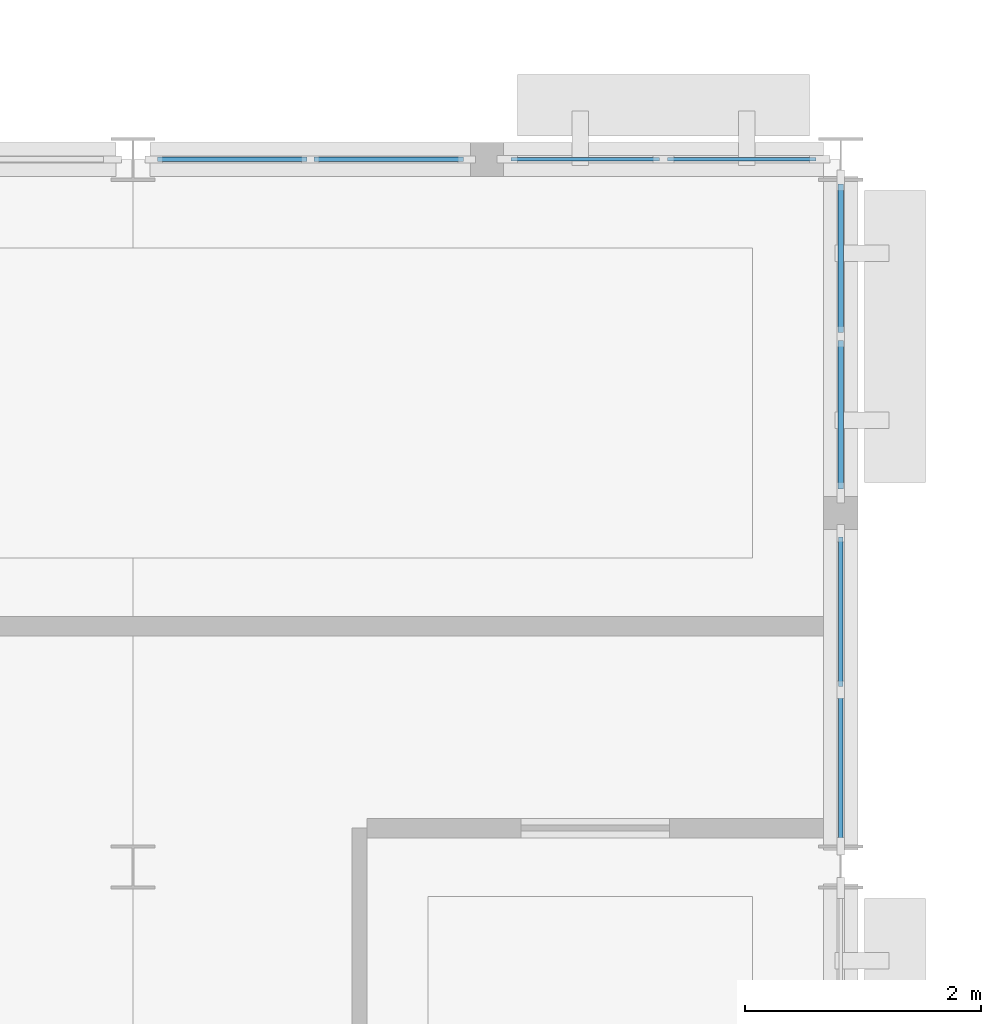
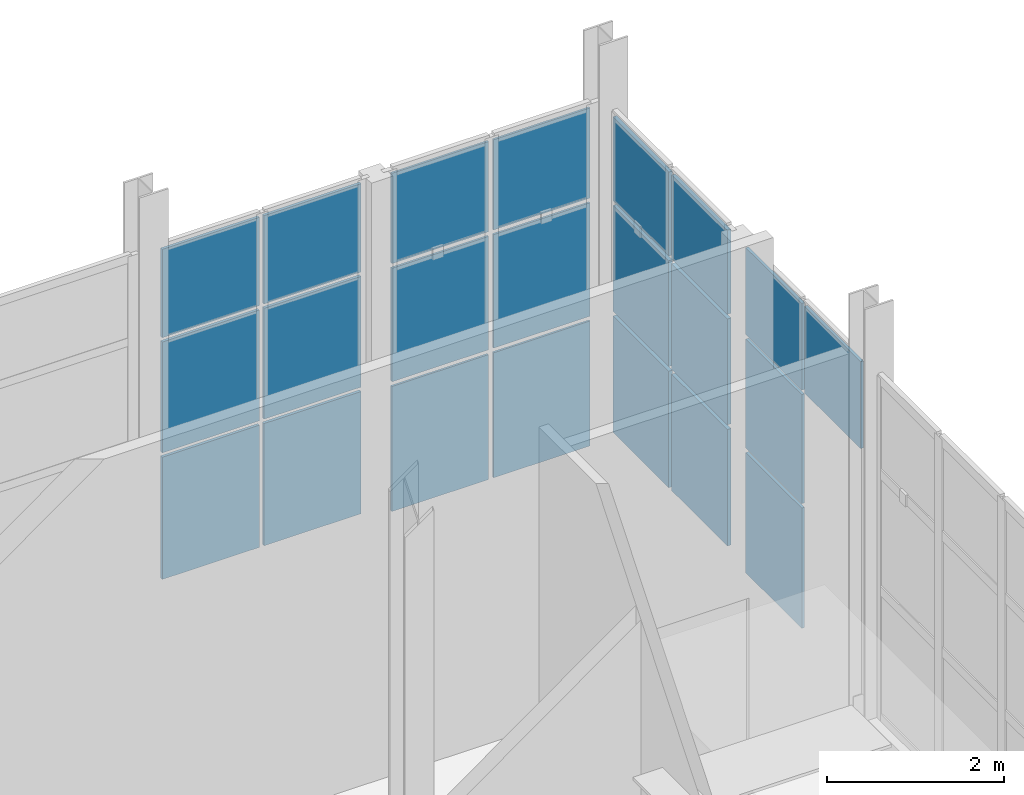
# One storey, part 77 of 120: 22 plates, 4 elements without a shape of their own.
"""IFC4 building model written with IfcOpenShell, lengths in metres."""

from ifc_helpers import new_model, si_unit, direction, frame, origin, origin_2d, place, context, subcontext, project, spatial, rectangle, extrude, material, layer, layer_set, type_object, element, aggregate, save


model = new_model("IFC4")

# Units and contexts
model_context = context("Model", 3, precision=1e-05, world=origin(), true_north=direction((0.0, 1.0)))
body_context = subcontext(model_context, "Body", "Model", "MODEL_VIEW")
ifc_project = project(units=[si_unit("LENGTHUNIT", "METRE"), si_unit("AREAUNIT", "SQUARE_METRE"), si_unit("VOLUMEUNIT", "CUBIC_METRE"), si_unit("PLANEANGLEUNIT", "RADIAN"), si_unit("MASSUNIT", "GRAM", prefix="KILO")], contexts=[model_context])

# Site, building, storey
site_placement = place(None, origin())
site = spatial("IfcSite", under=ifc_project, at=site_placement, CompositionType="ELEMENT")
building_placement = place(site_placement, origin())
building = spatial("IfcBuilding", under=site, at=building_placement, Name="Siltcreek Boulevard Central Fire Station", CompositionType="ELEMENT")
storey_placement = place(building_placement, origin())
storey = spatial("IfcBuildingStorey", under=building, at=storey_placement, Name="L01", CompositionType="ELEMENT", Elevation=0.0)

# Curtain wall, plates
ifc_material_1 = material(Name="Anodized aluminum and low-E insulated glazing", Category="aluminium")
curtain_wall_type_1 = type_object("IfcCurtainWallType", Name="CW_SYS_25", PredefinedType="USERDEFINED", material=ifc_material_1)
curtain_wall_1_placement = place(storey_placement, origin())
curtain_wall_1 = element("IfcCurtainWall", 1, at=curtain_wall_1_placement, inside=storey, type_object=curtain_wall_type_1, Name="L01 V5 unitised curtain wall CW-114", ObjectType="CURTAIN WALL", PredefinedType="USERDEFINED")
ifc_material_2 = material(Name="Low-E double insulated glass unit", Category="glass")
ifc_layer_1 = layer(ifc_material_2, 0.028076171875, Name="Low-E double insulated glass unit")
ifc_layer_set_1 = layer_set([ifc_layer_1], Name="Low-E double insulated glass unit")
plate_type_1 = type_object("IfcPlateType", Name="CWP_GLZ_1", PredefinedType="CURTAIN_PANEL", material=ifc_layer_set_1)
plate_1_placement = place(storey_placement, frame((165.360107421875, 112.199951171875, 0.384765625), z_axis=(0.0, 0.0, 1.0), x_axis=(-1.0, 0.0, 0.0)))
plate_1 = element("IfcPlate", 2, at=plate_1_placement, type_object=plate_type_1, Name="CW-114 panel 1.1", PredefinedType="CURTAIN_PANEL", context=body_context, shape_type="SweptSolid", body=[
    extrude(rectangle(XDim=1.260009765625, YDim=0.028076171875, at=origin_2d()), origin(), (0.0, 0.0, 1.0), 1.723876953125),
])
plate_2_placement = place(storey_placement, frame((165.360107421875, 112.199951171875, 2.173828125), z_axis=(0.0, 0.0, 1.0), x_axis=(-1.0, 0.0, 0.0)))
plate_2 = element("IfcPlate", 3, at=plate_2_placement, type_object=plate_type_1, Name="CW-114 panel 1.2", PredefinedType="CURTAIN_PANEL", context=body_context, shape_type="SweptSolid", body=[
    extrude(rectangle(XDim=1.260009765625, YDim=0.028076171875, at=origin_2d()), origin(), (0.0, 0.0, 1.0), 1.564697265625),
])
plate_3_placement = place(storey_placement, frame((165.360107421875, 112.199951171875, 3.8037109375), z_axis=(0.0, 0.0, 1.0), x_axis=(-1.0, 0.0, 0.0)))
plate_3 = element("IfcPlate", 4, at=plate_3_placement, type_object=plate_type_1, Name="CW-114 panel 1.3", PredefinedType="CURTAIN_PANEL", context=body_context, shape_type="SweptSolid", body=[
    extrude(rectangle(XDim=1.260009765625, YDim=0.028076171875, at=origin_2d()), origin(), (0.0, 0.0, 1.0), 1.244384765625),
])
plate_4_placement = place(storey_placement, frame((164.034912109375, 112.199951171875, 0.384765625), z_axis=(0.0, 0.0, 1.0), x_axis=(-1.0, 0.0, 0.0)))
plate_4 = element("IfcPlate", 5, at=plate_4_placement, type_object=plate_type_1, Name="CW-114 panel 2.1", PredefinedType="CURTAIN_PANEL", context=body_context, shape_type="SweptSolid", body=[
    extrude(rectangle(XDim=1.260009765625, YDim=0.028076171875, at=origin_2d()), origin(), (0.0, 0.0, 1.0), 1.723876953125),
])
plate_5_placement = place(storey_placement, frame((164.034912109375, 112.199951171875, 2.173828125), z_axis=(0.0, 0.0, 1.0), x_axis=(-1.0, 0.0, 0.0)))
plate_5 = element("IfcPlate", 6, at=plate_5_placement, type_object=plate_type_1, Name="CW-114 panel 2.2", PredefinedType="CURTAIN_PANEL", context=body_context, shape_type="SweptSolid", body=[
    extrude(rectangle(XDim=1.260009765625, YDim=0.028076171875, at=origin_2d()), origin(), (0.0, 0.0, 1.0), 1.564697265625),
])
plate_6_placement = place(storey_placement, frame((164.034912109375, 112.199951171875, 3.8037109375), z_axis=(0.0, 0.0, 1.0), x_axis=(-1.0, 0.0, 0.0)))
plate_6 = element("IfcPlate", 7, at=plate_6_placement, type_object=plate_type_1, Name="CW-114 panel 2.3", PredefinedType="CURTAIN_PANEL", context=body_context, shape_type="SweptSolid", body=[
    extrude(rectangle(XDim=1.260009765625, YDim=0.028076171875, at=origin_2d()), origin(), (0.0, 0.0, 1.0), 1.244384765625),
])
aggregate(curtain_wall_1, [plate_1, plate_2, plate_3, plate_4, plate_5, plate_6])

curtain_wall_type_2 = type_object("IfcCurtainWallType", Name="CW_SYS_26", PredefinedType="USERDEFINED", material=ifc_material_1)
curtain_wall_2_placement = place(storey_placement, origin())
curtain_wall_2 = element("IfcCurtainWall", 8, at=curtain_wall_2_placement, inside=storey, type_object=curtain_wall_type_2, Name="L01 V5 unitised curtain wall CW-115", ObjectType="CURTAIN WALL", PredefinedType="USERDEFINED")
ifc_layer_2 = layer(ifc_material_2, 0.0380859375, Name="Low-E double insulated glass unit")
ifc_layer_set_2 = layer_set([ifc_layer_2], Name="Low-E double insulated glass unit")
plate_type_2 = type_object("IfcPlateType", Name="CWP_GLZ_2", PredefinedType="CURTAIN_PANEL", material=ifc_layer_set_2)
plate_7_placement = place(storey_placement, frame((162.3662109375, 112.199951171875, 0.5), z_axis=(0.0, 0.0, 1.0), x_axis=(-1.0, 0.0, 0.0)))
plate_7 = element("IfcPlate", 9, at=plate_7_placement, type_object=plate_type_2, Name="CW-115 panel 1.1", PredefinedType="CURTAIN_PANEL", context=body_context, shape_type="SweptSolid", body=[
    extrude(rectangle(XDim=1.267578125, YDim=0.0380859375, at=origin_2d()), origin(), (0.0, 0.0, 1.0), 1.685791015625),
])
plate_8_placement = place(storey_placement, frame((162.3662109375, 112.199951171875, 2.245849609375), z_axis=(0.0, 0.0, 1.0), x_axis=(-1.0, 0.0, 0.0)))
plate_8 = element("IfcPlate", 10, at=plate_8_placement, type_object=plate_type_2, Name="CW-115 panel 1.2", PredefinedType="CURTAIN_PANEL", context=body_context, shape_type="SweptSolid", body=[
    extrude(rectangle(XDim=1.267578125, YDim=0.0380859375, at=origin_2d()), origin(), (0.0, 0.0, 1.0), 1.52880859375),
])
plate_9_placement = place(storey_placement, frame((162.3662109375, 112.199951171875, 3.83447265625), z_axis=(0.0, 0.0, 1.0), x_axis=(-1.0, 0.0, 0.0)))
plate_9 = element("IfcPlate", 11, at=plate_9_placement, type_object=plate_type_2, Name="CW-115 panel 1.3", PredefinedType="CURTAIN_PANEL", context=body_context, shape_type="SweptSolid", body=[
    extrude(rectangle(XDim=1.267578125, YDim=0.0380859375, at=origin_2d()), origin(), (0.0, 0.0, 1.0), 1.218505859375),
])
plate_10_placement = place(storey_placement, frame((161.038818359375, 112.199951171875, 0.5), z_axis=(0.0, 0.0, 1.0), x_axis=(-1.0, 0.0, 0.0)))
plate_10 = element("IfcPlate", 12, at=plate_10_placement, type_object=plate_type_2, Name="CW-115 panel 2.1", PredefinedType="CURTAIN_PANEL", context=body_context, shape_type="SweptSolid", body=[
    extrude(rectangle(XDim=1.267578125, YDim=0.0380859375, at=origin_2d()), origin(), (0.0, 0.0, 1.0), 1.685791015625),
])
plate_11_placement = place(storey_placement, frame((161.038818359375, 112.199951171875, 2.245849609375), z_axis=(0.0, 0.0, 1.0), x_axis=(-1.0, 0.0, 0.0)))
plate_11 = element("IfcPlate", 13, at=plate_11_placement, type_object=plate_type_2, Name="CW-115 panel 2.2", PredefinedType="CURTAIN_PANEL", context=body_context, shape_type="SweptSolid", body=[
    extrude(rectangle(XDim=1.267578125, YDim=0.0380859375, at=origin_2d()), origin(), (0.0, 0.0, 1.0), 1.52880859375),
])
plate_12_placement = place(storey_placement, frame((161.038818359375, 112.199951171875, 3.83447265625), z_axis=(0.0, 0.0, 1.0), x_axis=(-1.0, 0.0, 0.0)))
plate_12 = element("IfcPlate", 14, at=plate_12_placement, type_object=plate_type_2, Name="CW-115 panel 2.3", PredefinedType="CURTAIN_PANEL", context=body_context, shape_type="SweptSolid", body=[
    extrude(rectangle(XDim=1.267578125, YDim=0.0380859375, at=origin_2d()), origin(), (0.0, 0.0, 1.0), 1.218505859375),
])
aggregate(curtain_wall_2, [plate_7, plate_8, plate_9, plate_10, plate_11, plate_12])

curtain_wall_type_3 = type_object("IfcCurtainWallType", Name="CW_SYS_02", PredefinedType="USERDEFINED", material=ifc_material_1)
curtain_wall_3_placement = place(storey_placement, origin())
curtain_wall_3 = element("IfcCurtainWall", 15, at=curtain_wall_3_placement, inside=storey, type_object=curtain_wall_type_3, Name="L01 V5 unitised curtain wall CW-121", ObjectType="CURTAIN WALL", PredefinedType="USERDEFINED")
plate_13_placement = place(storey_placement, frame((166.199951171875, 107.038818359375, 3.784912109375), z_axis=(0.0, 0.0, 1.0), x_axis=(0.0, 1.0, 0.0)))
plate_13 = element("IfcPlate", 16, at=plate_13_placement, type_object=plate_type_2, Name="CW-121 panel 1.3", PredefinedType="CURTAIN_PANEL", context=body_context, shape_type="SweptSolid", body=[
    extrude(rectangle(XDim=1.267578125, YDim=0.0380859375, at=origin_2d()), origin(), (0.0, 0.0, 1.0), 1.19921875),
])
plate_14_placement = place(storey_placement, frame((166.199951171875, 108.3662109375, 0.5), z_axis=(0.0, 0.0, 1.0), x_axis=(0.0, 1.0, 0.0)))
plate_14 = element("IfcPlate", 17, at=plate_14_placement, type_object=plate_type_2, Name="CW-121 panel 2.1", PredefinedType="CURTAIN_PANEL", context=body_context, shape_type="SweptSolid", body=[
    extrude(rectangle(XDim=1.267578125, YDim=0.0380859375, at=origin_2d()), origin(), (0.0, 0.0, 1.0), 1.659423828125),
])
plate_15_placement = place(storey_placement, frame((166.199951171875, 108.3662109375, 2.219482421875), z_axis=(0.0, 0.0, 1.0), x_axis=(0.0, 1.0, 0.0)))
plate_15 = element("IfcPlate", 18, at=plate_15_placement, type_object=plate_type_2, Name="CW-121 panel 2.2", PredefinedType="CURTAIN_PANEL", context=body_context, shape_type="SweptSolid", body=[
    extrude(rectangle(XDim=1.267578125, YDim=0.0380859375, at=origin_2d()), origin(), (0.0, 0.0, 1.0), 1.50537109375),
])
plate_16_placement = place(storey_placement, frame((166.199951171875, 108.3662109375, 3.784912109375), z_axis=(0.0, 0.0, 1.0), x_axis=(0.0, 1.0, 0.0)))
plate_16 = element("IfcPlate", 19, at=plate_16_placement, type_object=plate_type_2, Name="CW-121 panel 2.3", PredefinedType="CURTAIN_PANEL", context=body_context, shape_type="SweptSolid", body=[
    extrude(rectangle(XDim=1.267578125, YDim=0.0380859375, at=origin_2d()), origin(), (0.0, 0.0, 1.0), 1.19921875),
])
aggregate(curtain_wall_3, [plate_13, plate_14, plate_15, plate_16])

curtain_wall_type_4 = type_object("IfcCurtainWallType", Name="CW_SYS_03", PredefinedType="USERDEFINED", material=ifc_material_1)
curtain_wall_4_placement = place(storey_placement, origin())
curtain_wall_4 = element("IfcCurtainWall", 20, at=curtain_wall_4_placement, inside=storey, type_object=curtain_wall_type_4, Name="L01 V5 unitised curtain wall CW-122", ObjectType="CURTAIN WALL", PredefinedType="USERDEFINED")
ifc_layer_3 = layer(ifc_material_2, 0.048095703125, Name="Low-E double insulated glass unit")
ifc_layer_set_3 = layer_set([ifc_layer_3], Name="Low-E double insulated glass unit")
plate_type_3 = type_object("IfcPlateType", Name="CWP_GLZ_3", PredefinedType="CURTAIN_PANEL", material=ifc_layer_set_3)
plate_17_placement = place(storey_placement, frame((166.199951171875, 110.034912109375, 0.625), z_axis=(0.0, 0.0, 1.0), x_axis=(0.0, 1.0, 0.0)))
plate_17 = element("IfcPlate", 21, at=plate_17_placement, type_object=plate_type_3, Name="CW-122 panel 1.1", PredefinedType="CURTAIN_PANEL", context=body_context, shape_type="SweptSolid", body=[
    extrude(rectangle(XDim=1.260009765625, YDim=0.048095703125, at=origin_2d()), origin(), (0.0, 0.0, 1.0), 1.6064453125),
])
plate_18_placement = place(storey_placement, frame((166.199951171875, 110.034912109375, 2.29638671875), z_axis=(0.0, 0.0, 1.0), x_axis=(0.0, 1.0, 0.0)))
plate_18 = element("IfcPlate", 22, at=plate_18_placement, type_object=plate_type_3, Name="CW-122 panel 1.2", PredefinedType="CURTAIN_PANEL", context=body_context, shape_type="SweptSolid", body=[
    extrude(rectangle(XDim=1.260009765625, YDim=0.048095703125, at=origin_2d()), origin(), (0.0, 0.0, 1.0), 1.459716796875),
])
plate_19_placement = place(storey_placement, frame((166.199951171875, 110.034912109375, 3.82080078125), z_axis=(0.0, 0.0, 1.0), x_axis=(0.0, 1.0, 0.0)))
plate_19 = element("IfcPlate", 23, at=plate_19_placement, type_object=plate_type_3, Name="CW-122 panel 1.3", PredefinedType="CURTAIN_PANEL", context=body_context, shape_type="SweptSolid", body=[
    extrude(rectangle(XDim=1.260009765625, YDim=0.048095703125, at=origin_2d()), origin(), (0.0, 0.0, 1.0), 1.157958984375),
])
plate_20_placement = place(storey_placement, frame((166.199951171875, 111.360107421875, 0.625), z_axis=(0.0, 0.0, 1.0), x_axis=(0.0, 1.0, 0.0)))
plate_20 = element("IfcPlate", 24, at=plate_20_placement, type_object=plate_type_3, Name="CW-122 panel 2.1", PredefinedType="CURTAIN_PANEL", context=body_context, shape_type="SweptSolid", body=[
    extrude(rectangle(XDim=1.260009765625, YDim=0.048095703125, at=origin_2d()), origin(), (0.0, 0.0, 1.0), 1.6064453125),
])
plate_21_placement = place(storey_placement, frame((166.199951171875, 111.360107421875, 2.29638671875), z_axis=(0.0, 0.0, 1.0), x_axis=(0.0, 1.0, 0.0)))
plate_21 = element("IfcPlate", 25, at=plate_21_placement, type_object=plate_type_3, Name="CW-122 panel 2.2", PredefinedType="CURTAIN_PANEL", context=body_context, shape_type="SweptSolid", body=[
    extrude(rectangle(XDim=1.260009765625, YDim=0.048095703125, at=origin_2d()), origin(), (0.0, 0.0, 1.0), 1.459716796875),
])
plate_22_placement = place(storey_placement, frame((166.199951171875, 111.360107421875, 3.82080078125), z_axis=(0.0, 0.0, 1.0), x_axis=(0.0, 1.0, 0.0)))
plate_22 = element("IfcPlate", 26, at=plate_22_placement, type_object=plate_type_3, Name="CW-122 panel 2.3", PredefinedType="CURTAIN_PANEL", context=body_context, shape_type="SweptSolid", body=[
    extrude(rectangle(XDim=1.260009765625, YDim=0.048095703125, at=origin_2d()), origin(), (0.0, 0.0, 1.0), 1.157958984375),
])
aggregate(curtain_wall_4, [plate_17, plate_18, plate_19, plate_20, plate_21, plate_22])

save(model, "model.ifc")
